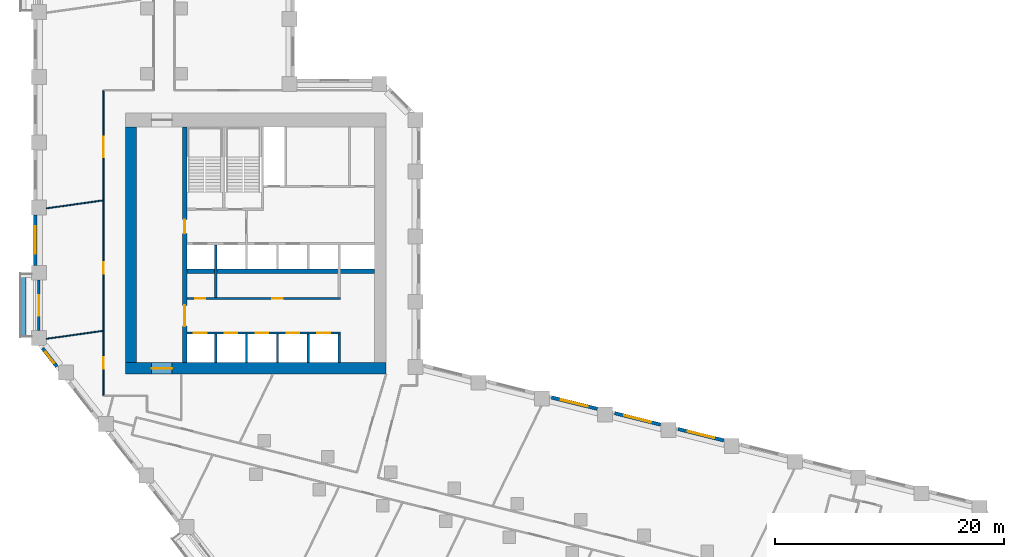
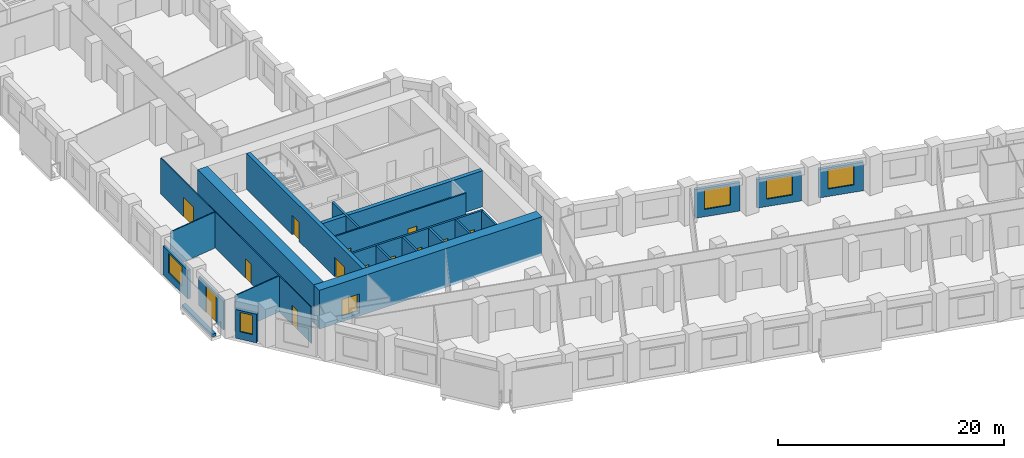
# One storey, part 4 of 11: 22 walls, 14 doors, 5 windows, 19 openings.
"""IFC4 building model written with IfcOpenShell, lengths in metres."""

from ifc_helpers import new_model, si_unit, direction, frame, frame_2d, origin, place, context, subcontext, project, spatial, rectangle, extrude, material, layer, layer_set, type_object, element, fill, save


model = new_model("IFC4")

# Units and contexts
model_context = context("Model", 3, precision=1e-05, world=origin(), true_north=direction((0.0, 1.0)))
body_context = subcontext(model_context, "Body", "Model", "MODEL_VIEW")
ifc_project = project(units=[si_unit("LENGTHUNIT", "METRE"), si_unit("AREAUNIT", "SQUARE_METRE"), si_unit("VOLUMEUNIT", "CUBIC_METRE"), si_unit("PLANEANGLEUNIT", "RADIAN"), si_unit("MASSUNIT", "GRAM", prefix="KILO")], contexts=[model_context])

# Site, building, storey
site_placement = place(None, origin())
site = spatial("IfcSite", under=ifc_project, at=site_placement, CompositionType="ELEMENT")
building_placement = place(site_placement, origin())
building = spatial("IfcBuilding", under=site, at=building_placement, Name="Meshkara Civic Tower", CompositionType="ELEMENT")
storey_placement = place(building_placement, frame((0.0, 0.0, 101.39990234375)))
storey = spatial("IfcBuildingStorey", under=building, at=storey_placement, Name="L22", CompositionType="ELEMENT", Elevation=101.39990234375)

# Wall, openings, doors
ifc_material_1 = material(Name="Blockwork", Category="masonry")
ifc_layer_1 = layer(ifc_material_1, 0.14990234375)
ifc_layer_set_1 = layer_set([ifc_layer_1], Name="Core partition 150")
wall_type_1 = type_object("IfcWallType", Name="Core partition 150", PredefinedType="PARTITIONING", material=ifc_layer_set_1)
wall_1_placement = place(storey_placement, frame((13.39990234375, 20.699951171875, 0.0), z_axis=(0.0, 0.0, 1.0), x_axis=(1.0, 0.0, 0.0)))
wall_1 = element("IfcWall", 1, at=wall_1_placement, inside=storey, type_object=wall_type_1, Name="L22-C006", PredefinedType="PARTITIONING", context=body_context, shape_type="SweptSolid", body=[
    extrude(rectangle(XDim=13.400146484375, YDim=0.14990234375, at=frame_2d((6.7001953125, 0.0))), origin(), (0.0, 0.0, 1.0), 3.900146484375),
])
opening_1_placement = place(wall_1_placement, frame((0.699951171875, 0.0, 0.0)))
opening_1 = element("IfcOpeningElement", 2, at=opening_1_placement, cuts=wall_1, Name="Opening L22-K010", PredefinedType="OPENING", context=body_context, shape_type="SweptSolid", body=[
    extrude(rectangle(XDim=0.89990234375, YDim=2.10009765625, at=frame_2d((0.449951171875, 1.050048828125))), frame((0.0, 0.0849609375, 0.0), z_axis=(0.0, -1.0, 0.0), x_axis=(1.0, 0.0, 0.0)), (0.0, 0.0, 1.0), 0.169921875),
])
opening_2_placement = place(wall_1_placement, frame((7.449951171875, 0.0, 0.0)))
opening_2 = element("IfcOpeningElement", 3, at=opening_2_placement, cuts=wall_1, Name="Opening L22-K011", PredefinedType="OPENING", context=body_context, shape_type="SweptSolid", body=[
    extrude(rectangle(XDim=0.89990234375, YDim=2.10009765625, at=frame_2d((0.449951171875, 1.050048828125))), frame((0.0, 0.0849609375, 0.0), z_axis=(0.0, -1.0, 0.0), x_axis=(1.0, 0.0, 0.0)), (0.0, 0.0, 1.0), 0.169921875),
])
ifc_material_2 = material(Name="Timber door leaf in steel frame", Category="steel")
door_type_1 = type_object("IfcDoorType", Name="Core room door 900", OperationType="SINGLE_SWING_LEFT", PredefinedType="DOOR", material=ifc_material_2)
door_1_placement = place(opening_1_placement, origin())
door_1 = element("IfcDoor", 4, at=door_1_placement, inside=storey, type_object=door_type_1, Name="L22-K010", OperationType="SINGLE_SWING_RIGHT", OverallHeight=2.10009765625, OverallWidth=0.89990234375, PredefinedType="DOOR", context=body_context, shape_type="SweptSolid", body=[
    extrude(rectangle(XDim=0.89990234375, YDim=2.10009765625, at=frame_2d((0.449951171875, 1.050048828125))), frame((0.0, 0.02490234375, 0.0), z_axis=(0.0, -1.0, 0.0), x_axis=(1.0, 0.0, 0.0)), (0.0, 0.0, 1.0), 0.050048828125),
])
fill(opening_1, door_1)
door_2_placement = place(opening_2_placement, origin())
door_2 = element("IfcDoor", 5, at=door_2_placement, inside=storey, type_object=door_type_1, Name="L22-K011", OperationType="SINGLE_SWING_LEFT", OverallHeight=2.10009765625, OverallWidth=0.89990234375, PredefinedType="DOOR", context=body_context, shape_type="SweptSolid", body=[
    extrude(rectangle(XDim=0.89990234375, YDim=2.10009765625, at=frame_2d((0.449951171875, 1.050048828125))), frame((0.0, 0.02490234375, 0.0), z_axis=(0.0, -1.0, 0.0), x_axis=(1.0, 0.0, 0.0)), (0.0, 0.0, 1.0), 0.050048828125),
])
fill(opening_2, door_2)

# Wall, opening, door
ifc_material_3 = material(Name="Concrete C70", Category="concrete")
ifc_layer_2 = layer(ifc_material_3, 1.0)
ifc_layer_set_2 = layer_set([ifc_layer_2], Name="Core ring wall 1000 C70")
wall_type_2 = type_object("IfcWallType", Name="Core ring wall 1000 C70", PredefinedType="SHEAR", material=ifc_layer_set_2)
wall_2_placement = place(storey_placement, frame((8.0, 14.60009765625, -0.2998046875), z_axis=(0.0, 0.0, 1.0), x_axis=(1.0, 0.0, 0.0)))
wall_2 = element("IfcWall", 6, at=wall_2_placement, inside=storey, type_object=wall_type_2, Name="L22-C001", PredefinedType="SHEAR", context=body_context, shape_type="SweptSolid", body=[
    extrude(rectangle(XDim=22.800048828125, YDim=1.0, at=frame_2d((11.39990234375, 0.0))), origin(), (0.0, 0.0, 1.0), 4.199951171875),
])
opening_3_placement = place(wall_2_placement, frame((2.300048828125, 0.0, 0.300048828125)))
opening_3 = element("IfcOpeningElement", 7, at=opening_3_placement, cuts=wall_2, Name="Opening L22-K021", PredefinedType="OPENING", context=body_context, shape_type="SweptSolid", body=[
    extrude(rectangle(XDim=1.800048828125, YDim=2.10009765625, at=frame_2d((0.89990234375, 1.050048828125))), frame((0.0, 0.510009765625, 0.0), z_axis=(0.0, -1.0, 0.0), x_axis=(1.0, 0.0, 0.0)), (0.0, 0.0, 1.0), 1.02001953125),
])
ifc_material_4 = material(Name="Fire-rated door leaf in steel frame", Category="steel")
door_type_2 = type_object("IfcDoorType", Name="Core double door 1800 EI 60", OperationType="DOUBLE_DOOR_SINGLE_SWING", PredefinedType="DOOR", material=ifc_material_4)
door_3_placement = place(opening_3_placement, origin())
door_3 = element("IfcDoor", 8, at=door_3_placement, inside=storey, type_object=door_type_2, Name="L22-K021", OperationType="DOUBLE_DOOR_SINGLE_SWING", OverallHeight=2.10009765625, OverallWidth=1.800048828125, PredefinedType="DOOR", context=body_context, shape_type="SweptSolid", body=[
    extrude(rectangle(XDim=1.800048828125, YDim=2.10009765625, at=frame_2d((0.89990234375, 1.050048828125))), frame((0.0, 0.02490234375, 0.0), z_axis=(0.0, -1.0, 0.0), x_axis=(1.0, 0.0, 0.0)), (0.0, 0.0, 1.0), 0.050048828125),
])
fill(opening_3, door_3)

# Walls
wall_3_placement = place(storey_placement, frame((8.5, 15.10009765625, -0.2998046875), z_axis=(0.0, 0.0, 1.0), x_axis=(0.0, 1.0, 0.0)))
element("IfcWall", 9, at=wall_3_placement, inside=storey, type_object=wall_type_2, Name="L22-C003", PredefinedType="SHEAR", context=body_context, shape_type="SweptSolid", body=[
    extrude(rectangle(XDim=20.599853515625, YDim=1.0, at=frame_2d((10.2998046875, 0.0))), origin(), (0.0, 0.0, 1.0), 4.199951171875),
])
ifc_material_5 = material(Name="Concrete C70", Category="concrete")
ifc_layer_3 = layer(ifc_material_5, 0.39990234375)
ifc_layer_set_3 = layer_set([ifc_layer_3], Name="Core shear wall 400 C70")
wall_type_3 = type_object("IfcWallType", Name="Core shear wall 400 C70", PredefinedType="SHEAR", material=ifc_layer_set_3)
wall_4_placement = place(storey_placement, frame((13.39990234375, 23.10009765625, 0.0), z_axis=(0.0, 0.0, 1.0), x_axis=(1.0, 0.0, 0.0)))
element("IfcWall", 10, at=wall_4_placement, inside=storey, type_object=wall_type_3, Name="L22-C007", PredefinedType="SHEAR", context=body_context, shape_type="SweptSolid", body=[
    extrude(rectangle(XDim=16.400146484375, YDim=0.39990234375, at=frame_2d((8.2001953125, 0.0))), origin(), (0.0, 0.0, 1.0), 3.900146484375),
])

# Wall, openings, doors
wall_5_placement = place(storey_placement, frame((13.199951171875, 15.10009765625, 0.0), z_axis=(0.0, 0.0, 1.0), x_axis=(0.0, 1.0, 0.0)))
wall_5 = element("IfcWall", 11, at=wall_5_placement, inside=storey, type_object=wall_type_3, Name="L22-C011", PredefinedType="SHEAR", context=body_context, shape_type="SweptSolid", body=[
    extrude(rectangle(XDim=20.599853515625, YDim=0.39990234375, at=frame_2d((10.2998046875, 0.0))), origin(), (0.0, 0.0, 1.0), 3.900146484375),
])
opening_4_placement = place(wall_5_placement, frame((3.199951171875, 0.0, 0.0)))
opening_4 = element("IfcOpeningElement", 12, at=opening_4_placement, cuts=wall_5, Name="Opening L22-K017", PredefinedType="OPENING", context=body_context, shape_type="SweptSolid", body=[
    extrude(rectangle(XDim=1.800048828125, YDim=2.10009765625, at=frame_2d((0.89990234375, 1.050048828125))), frame((0.0, 0.2099609375, 0.0), z_axis=(0.0, -1.0, 0.0), x_axis=(1.0, 0.0, 0.0)), (0.0, 0.0, 1.0), 0.419921875),
])
opening_5_placement = place(wall_5_placement, frame((11.300048828125, 0.0, 0.0)))
opening_5 = element("IfcOpeningElement", 13, at=opening_5_placement, cuts=wall_5, Name="Opening L22-K018", PredefinedType="OPENING", context=body_context, shape_type="SweptSolid", body=[
    extrude(rectangle(XDim=1.199951171875, YDim=2.10009765625, at=frame_2d((0.60009765625, 1.050048828125))), frame((0.0, 0.2099609375, 0.0), z_axis=(0.0, -1.0, 0.0), x_axis=(1.0, 0.0, 0.0)), (0.0, 0.0, 1.0), 0.419921875),
])
door_4_placement = place(opening_4_placement, origin())
door_4 = element("IfcDoor", 14, at=door_4_placement, inside=storey, type_object=door_type_2, Name="L22-K017", OperationType="DOUBLE_DOOR_SINGLE_SWING", OverallHeight=2.10009765625, OverallWidth=1.800048828125, PredefinedType="DOOR", context=body_context, shape_type="SweptSolid", body=[
    extrude(rectangle(XDim=1.800048828125, YDim=2.10009765625, at=frame_2d((0.89990234375, 1.050048828125))), frame((0.0, 0.02490234375, 0.0), z_axis=(0.0, -1.0, 0.0), x_axis=(1.0, 0.0, 0.0)), (0.0, 0.0, 1.0), 0.050048828125),
])
fill(opening_4, door_4)
ifc_material_6 = material(Name="Fire-rated door leaf in steel frame", Category="steel")
door_type_3 = type_object("IfcDoorType", Name="Fire-fighting lobby door 1200 EI 120", OperationType="SINGLE_SWING_LEFT", PredefinedType="DOOR", material=ifc_material_6)
door_5_placement = place(opening_5_placement, origin())
door_5 = element("IfcDoor", 15, at=door_5_placement, inside=storey, type_object=door_type_3, Name="L22-K018", OperationType="SINGLE_SWING_LEFT", OverallHeight=2.10009765625, OverallWidth=1.199951171875, PredefinedType="DOOR", context=body_context, shape_type="SweptSolid", body=[
    extrude(rectangle(XDim=1.199951171875, YDim=2.10009765625, at=frame_2d((0.60009765625, 1.050048828125))), frame((0.0, 0.02490234375, 0.0), z_axis=(0.0, -1.0, 0.0), x_axis=(1.0, 0.0, 0.0)), (0.0, 0.0, 1.0), 0.050048828125),
])
fill(opening_5, door_5)

ifc_material_7 = material(Name="Corridor wall 100")
ifc_layer_4 = layer(ifc_material_7, 0.10009765625)
ifc_layer_set_4 = layer_set([ifc_layer_4], Name="Corridor wall 100")
wall_type_4 = type_object("IfcWallType", Name="Corridor wall 100", PredefinedType="PARTITIONING", material=ifc_layer_set_4)
wall_6_placement = place(storey_placement, frame((6.10009765625, 12.199951171875, 0.0), z_axis=(0.0, 0.0, 1.0), x_axis=(0.0, 1.0, 0.0)))
wall_6 = element("IfcWall", 16, at=wall_6_placement, inside=storey, type_object=wall_type_4, Name="L22-W004", PredefinedType="PARTITIONING", context=body_context, shape_type="SweptSolid", body=[
    extrude(rectangle(XDim=26.699951171875, YDim=0.10009765625, at=frame_2d((13.35009765625, 0.0))), origin(), (0.0, 0.0, 1.0), 3.900146484375),
])
opening_6_placement = place(wall_6_placement, frame((2.3798828125, 0.0, 0.0)))
opening_6 = element("IfcOpeningElement", 17, at=opening_6_placement, cuts=wall_6, Name="Opening L22-D018", PredefinedType="OPENING", context=body_context, shape_type="SweptSolid", body=[
    extrude(rectangle(XDim=1.0, YDim=2.10009765625, at=frame_2d((0.5, 1.050048828125))), frame((0.0, 0.06005859375, 0.0), z_axis=(0.0, -1.0, 0.0), x_axis=(1.0, 0.0, 0.0)), (0.0, 0.0, 1.0), 0.1201171875),
])
opening_7_placement = place(wall_6_placement, frame((10.658935546875, 0.0, 0.0)))
opening_7 = element("IfcOpeningElement", 18, at=opening_7_placement, cuts=wall_6, Name="Opening L22-D019", PredefinedType="OPENING", context=body_context, shape_type="SweptSolid", body=[
    extrude(rectangle(XDim=1.0, YDim=2.10009765625, at=frame_2d((0.5, 1.050048828125))), frame((0.0, 0.06005859375, 0.0), z_axis=(0.0, -1.0, 0.0), x_axis=(1.0, 0.0, 0.0)), (0.0, 0.0, 1.0), 0.1201171875),
])
opening_8_placement = place(wall_6_placement, frame((20.85888671875, 0.0, 0.0)))
opening_8 = element("IfcOpeningElement", 19, at=opening_8_placement, cuts=wall_6, Name="Opening L22-D020", PredefinedType="OPENING", context=body_context, shape_type="SweptSolid", body=[
    extrude(rectangle(XDim=1.800048828125, YDim=2.10009765625, at=frame_2d((0.89990234375, 1.050048828125))), frame((0.0, 0.06005859375, 0.0), z_axis=(0.0, -1.0, 0.0), x_axis=(1.0, 0.0, 0.0)), (0.0, 0.0, 1.0), 0.1201171875),
])
ifc_material_8 = material(Name="Door 1000 x 2100")
door_type_4 = type_object("IfcDoorType", Name="Door 1000 x 2100", OperationType="SINGLE_SWING_LEFT", PredefinedType="DOOR", material=ifc_material_8)
door_6_placement = place(opening_6_placement, origin())
door_6 = element("IfcDoor", 20, at=door_6_placement, inside=storey, type_object=door_type_4, Name="L22-D018", OperationType="SINGLE_SWING_RIGHT", OverallHeight=2.10009765625, OverallWidth=1.0, PredefinedType="DOOR", context=body_context, shape_type="SweptSolid", body=[
    extrude(rectangle(XDim=1.0, YDim=2.10009765625, at=frame_2d((0.5, 1.050048828125))), frame((0.0, 0.02490234375, 0.0), z_axis=(0.0, -1.0, 0.0), x_axis=(1.0, 0.0, 0.0)), (0.0, 0.0, 1.0), 0.050048828125),
])
fill(opening_6, door_6)
door_7_placement = place(opening_7_placement, origin())
door_7 = element("IfcDoor", 21, at=door_7_placement, inside=storey, type_object=door_type_4, Name="L22-D019", OperationType="SINGLE_SWING_LEFT", OverallHeight=2.10009765625, OverallWidth=1.0, PredefinedType="DOOR", context=body_context, shape_type="SweptSolid", body=[
    extrude(rectangle(XDim=1.0, YDim=2.10009765625, at=frame_2d((0.5, 1.050048828125))), frame((0.0, 0.02490234375, 0.0), z_axis=(0.0, -1.0, 0.0), x_axis=(1.0, 0.0, 0.0)), (0.0, 0.0, 1.0), 0.050048828125),
])
fill(opening_7, door_7)
ifc_material_9 = material(Name="Door pair 1800 x 2100")
door_type_5 = type_object("IfcDoorType", Name="Door pair 1800 x 2100", OperationType="SINGLE_SWING_LEFT", PredefinedType="DOOR", material=ifc_material_9)
door_8_placement = place(opening_8_placement, origin())
door_8 = element("IfcDoor", 22, at=door_8_placement, inside=storey, type_object=door_type_5, Name="L22-D020", OperationType="DOUBLE_DOOR_SINGLE_SWING", OverallHeight=2.10009765625, OverallWidth=1.800048828125, PredefinedType="DOOR", context=body_context, shape_type="SweptSolid", body=[
    extrude(rectangle(XDim=1.800048828125, YDim=2.10009765625, at=frame_2d((0.89990234375, 1.050048828125))), frame((0.0, 0.02490234375, 0.0), z_axis=(0.0, -1.0, 0.0), x_axis=(1.0, 0.0, 0.0)), (0.0, 0.0, 1.0), 0.050048828125),
])
fill(opening_8, door_8)

# Wall, opening, window
ifc_material_10 = material(Name="Insulated infill panel with bronze anodised aluminium cladding", Category="aluminium")
ifc_layer_5 = layer(ifc_material_10, 0.300048828125)
ifc_layer_set_5 = layer_set([ifc_layer_5], Name="EXTERNAL INFILL WALL 300")
wall_type_5 = type_object("IfcWallType", Name="EXTERNAL INFILL WALL 300", PredefinedType="SOLIDWALL", material=ifc_layer_set_5)
wall_7_placement = place(storey_placement, frame((60.31103515625, 8.305908203125, 0.0), z_axis=(0.0, 0.0, 1.0), x_axis=(-0.970267747908, 0.242034083076, 0.0)))
wall_7 = element("IfcWall", 23, at=wall_7_placement, inside=storey, type_object=wall_type_5, Name="External wall", PredefinedType="SOLIDWALL", context=body_context, shape_type="SweptSolid", body=[
    extrude(rectangle(XDim=4.12353515625, YDim=0.300048828125, at=frame_2d((2.061767578125, 0.0))), origin(), (0.0, 0.0, 1.0), 3.10009765625),
])
opening_9_placement = place(wall_7_placement, frame((0.862060546875, 0.0, 0.800048828125)))
opening_9 = element("IfcOpeningElement", 24, at=opening_9_placement, cuts=wall_7, Name="Opening W7", PredefinedType="OPENING", context=body_context, shape_type="SweptSolid", body=[
    extrude(rectangle(XDim=2.39990234375, YDim=2.10009765625, at=frame_2d((1.199951171875, 1.050048828125))), frame((0.0, 0.159912109375, 0.0), z_axis=(0.0, -1.0, 0.0), x_axis=(1.0, 0.0, 0.0)), (0.0, 0.0, 1.0), 0.320068359375),
])
ifc_material_11 = material(Name="Tinted double glazing", Category="glass")
window_type_1 = type_object("IfcWindowType", Name="WINDOW 2400x2100", PartitioningType="DOUBLE_PANEL_VERTICAL", PredefinedType="WINDOW", material=ifc_material_11)
window_1_placement = place(opening_9_placement, origin())
window_1 = element("IfcWindow", 25, at=window_1_placement, inside=storey, type_object=window_type_1, Name="Window", OverallHeight=2.10009765625, OverallWidth=2.39990234375, PartitioningType="DOUBLE_PANEL_VERTICAL", PredefinedType="WINDOW", context=body_context, shape_type="SweptSolid", body=[
    extrude(rectangle(XDim=2.39990234375, YDim=2.10009765625, at=frame_2d((1.199951171875, 1.050048828125))), frame((0.0, 0.030029296875, 0.0), z_axis=(0.0, -1.0, 0.0), x_axis=(1.0, 0.0, 0.0)), (0.0, 0.0, 1.0), 0.06005859375),
])
fill(opening_9, window_1)

wall_8_placement = place(storey_placement, frame((54.781005859375, 9.68505859375, 0.0), z_axis=(0.0, 0.0, 1.0), x_axis=(-0.970281616392, 0.241978480223, 0.0)))
wall_8 = element("IfcWall", 26, at=wall_8_placement, inside=storey, type_object=wall_type_5, Name="External wall", PredefinedType="SOLIDWALL", context=body_context, shape_type="SweptSolid", body=[
    extrude(rectangle(XDim=4.12451171875, YDim=0.300048828125, at=frame_2d((2.062255859375, 0.0))), origin(), (0.0, 0.0, 1.0), 3.10009765625),
])
opening_10_placement = place(wall_8_placement, frame((0.862060546875, 0.0, 0.800048828125)))
opening_10 = element("IfcOpeningElement", 27, at=opening_10_placement, cuts=wall_8, Name="Opening W7", PredefinedType="OPENING", context=body_context, shape_type="SweptSolid", body=[
    extrude(rectangle(XDim=2.39990234375, YDim=2.10009765625, at=frame_2d((1.199951171875, 1.050048828125))), frame((0.0, 0.159912109375, 0.0), z_axis=(0.0, -1.0, 0.0), x_axis=(1.0, 0.0, 0.0)), (0.0, 0.0, 1.0), 0.320068359375),
])
window_2_placement = place(opening_10_placement, origin())
window_2 = element("IfcWindow", 28, at=window_2_placement, inside=storey, type_object=window_type_1, Name="Window", OverallHeight=2.10009765625, OverallWidth=2.39990234375, PartitioningType="DOUBLE_PANEL_VERTICAL", PredefinedType="WINDOW", context=body_context, shape_type="SweptSolid", body=[
    extrude(rectangle(XDim=2.39990234375, YDim=2.10009765625, at=frame_2d((1.199951171875, 1.050048828125))), frame((0.0, 0.030029296875, 0.0), z_axis=(0.0, -1.0, 0.0), x_axis=(1.0, 0.0, 0.0)), (0.0, 0.0, 1.0), 0.06005859375),
])
fill(opening_10, window_2)

wall_9_placement = place(storey_placement, frame((49.25, 11.06396484375, 0.0), z_axis=(0.0, 0.0, 1.0), x_axis=(-0.970281616392, 0.241978480223, 0.0)))
wall_9 = element("IfcWall", 29, at=wall_9_placement, inside=storey, type_object=wall_type_5, Name="External wall", PredefinedType="SOLIDWALL", context=body_context, shape_type="SweptSolid", body=[
    extrude(rectangle(XDim=4.12451171875, YDim=0.300048828125, at=frame_2d((2.062255859375, 0.0))), origin(), (0.0, 0.0, 1.0), 3.10009765625),
])
opening_11_placement = place(wall_9_placement, frame((0.862060546875, 0.0, 0.800048828125)))
opening_11 = element("IfcOpeningElement", 30, at=opening_11_placement, cuts=wall_9, Name="Opening W7", PredefinedType="OPENING", context=body_context, shape_type="SweptSolid", body=[
    extrude(rectangle(XDim=2.39990234375, YDim=2.10009765625, at=frame_2d((1.199951171875, 1.050048828125))), frame((0.0, 0.159912109375, 0.0), z_axis=(0.0, -1.0, 0.0), x_axis=(1.0, 0.0, 0.0)), (0.0, 0.0, 1.0), 0.320068359375),
])
window_3_placement = place(opening_11_placement, origin())
window_3 = element("IfcWindow", 31, at=window_3_placement, inside=storey, type_object=window_type_1, Name="Window", OverallHeight=2.10009765625, OverallWidth=2.39990234375, PartitioningType="DOUBLE_PANEL_VERTICAL", PredefinedType="WINDOW", context=body_context, shape_type="SweptSolid", body=[
    extrude(rectangle(XDim=2.39990234375, YDim=2.10009765625, at=frame_2d((1.199951171875, 1.050048828125))), frame((0.0, 0.030029296875, 0.0), z_axis=(0.0, -1.0, 0.0), x_axis=(1.0, 0.0, 0.0)), (0.0, 0.0, 1.0), 0.06005859375),
])
fill(opening_11, window_3)

wall_10_placement = place(storey_placement, frame((0.14990234375, 28.0048828125, 0.0), z_axis=(0.0, 0.0, 1.0), x_axis=(0.0, -1.0, 0.0)))
wall_10 = element("IfcWall", 32, at=wall_10_placement, inside=storey, type_object=wall_type_5, Name="External wall", PredefinedType="SOLIDWALL", context=body_context, shape_type="SweptSolid", body=[
    extrude(rectangle(XDim=4.39990234375, YDim=0.300048828125, at=frame_2d((2.199951171875, 0.0))), origin(), (0.0, 0.0, 1.0), 3.10009765625),
])
opening_12_placement = place(wall_10_placement, frame((1.0, 0.0, 0.800048828125)))
opening_12 = element("IfcOpeningElement", 33, at=opening_12_placement, cuts=wall_10, Name="Opening W7", PredefinedType="OPENING", context=body_context, shape_type="SweptSolid", body=[
    extrude(rectangle(XDim=2.39990234375, YDim=2.10009765625, at=frame_2d((1.199951171875, 1.050048828125))), frame((0.0, 0.159912109375, 0.0), z_axis=(0.0, -1.0, 0.0), x_axis=(1.0, 0.0, 0.0)), (0.0, 0.0, 1.0), 0.320068359375),
])
window_4_placement = place(opening_12_placement, origin())
window_4 = element("IfcWindow", 34, at=window_4_placement, inside=storey, type_object=window_type_1, Name="Window", OverallHeight=2.10009765625, OverallWidth=2.39990234375, PartitioningType="DOUBLE_PANEL_VERTICAL", PredefinedType="WINDOW", context=body_context, shape_type="SweptSolid", body=[
    extrude(rectangle(XDim=2.39990234375, YDim=2.10009765625, at=frame_2d((1.199951171875, 1.050048828125))), frame((0.0, 0.030029296875, 0.0), z_axis=(0.0, -1.0, 0.0), x_axis=(1.0, 0.0, 0.0)), (0.0, 0.0, 1.0), 0.06005859375),
])
fill(opening_12, window_4)

wall_11_placement = place(storey_placement, frame((0.77490234375, 16.35107421875, 0.0), z_axis=(0.0, 0.0, 1.0), x_axis=(0.6157921118, -0.787908671766, 0.0)))
wall_11 = element("IfcWall", 35, at=wall_11_placement, inside=storey, type_object=wall_type_5, Name="External wall", PredefinedType="SOLIDWALL", context=body_context, shape_type="SweptSolid", body=[
    extrude(rectangle(XDim=2.015625, YDim=0.300048828125, at=frame_2d((1.0078125, 0.0))), origin(), (0.0, 0.0, 1.0), 3.10009765625),
])
opening_13_placement = place(wall_11_placement, frame((0.407958984375, 0.0, 0.800048828125)))
opening_13 = element("IfcOpeningElement", 36, at=opening_13_placement, cuts=wall_11, Name="Opening W3", PredefinedType="OPENING", context=body_context, shape_type="SweptSolid", body=[
    extrude(rectangle(XDim=1.199951171875, YDim=2.10009765625, at=frame_2d((0.60009765625, 1.050048828125))), frame((0.0, 0.159912109375, 0.0), z_axis=(0.0, -1.0, 0.0), x_axis=(1.0, 0.0, 0.0)), (0.0, 0.0, 1.0), 0.320068359375),
])
ifc_material_12 = material(Name="Tinted double glazing", Category="glass")
window_type_2 = type_object("IfcWindowType", Name="WINDOW 1200x2100", PartitioningType="SINGLE_PANEL", PredefinedType="WINDOW", material=ifc_material_12)
window_5_placement = place(opening_13_placement, origin())
window_5 = element("IfcWindow", 37, at=window_5_placement, inside=storey, type_object=window_type_2, Name="Window", OverallHeight=2.10009765625, OverallWidth=1.199951171875, PartitioningType="SINGLE_PANEL", PredefinedType="WINDOW", context=body_context, shape_type="SweptSolid", body=[
    extrude(rectangle(XDim=1.199951171875, YDim=2.10009765625, at=frame_2d((0.60009765625, 1.050048828125))), frame((0.0, 0.030029296875, 0.0), z_axis=(0.0, -1.0, 0.0), x_axis=(1.0, 0.0, 0.0)), (0.0, 0.0, 1.0), 0.06005859375),
])
fill(opening_13, window_5)

# Wall, opening, door
ifc_material_13 = material(Name="Insulated infill panel with bronze anodised aluminium cladding", Category="aluminium")
ifc_layer_6 = layer(ifc_material_13, 0.199951171875)
ifc_layer_set_6 = layer_set([ifc_layer_6], Name="LOGGIA BACK WALL 200")
wall_type_6 = type_object("IfcWallType", Name="LOGGIA BACK WALL 200", PredefinedType="SOLIDWALL", material=ifc_layer_set_6)
wall_12_placement = place(storey_placement, frame((0.449951171875, 22.303955078125, 0.0), z_axis=(0.0, 0.0, 1.0), x_axis=(0.0, -1.0, 0.0)))
wall_12 = element("IfcWall", 38, at=wall_12_placement, inside=storey, type_object=wall_type_6, Name="Loggia wall", PredefinedType="SOLIDWALL", context=body_context, shape_type="SweptSolid", body=[
    extrude(rectangle(XDim=4.39892578125, YDim=0.199951171875, at=frame_2d((2.199462890625, 0.0))), origin(), (0.0, 0.0, 1.0), 3.10009765625),
])
opening_14_placement = place(wall_12_placement, frame((1.300048828125, 0.0, 0.0)))
opening_14 = element("IfcOpeningElement", 39, at=opening_14_placement, cuts=wall_12, Name="Opening L22-L002", PredefinedType="OPENING", context=body_context, shape_type="SweptSolid", body=[
    extrude(rectangle(XDim=1.800048828125, YDim=2.89990234375, at=frame_2d((0.89990234375, 1.449951171875))), frame((0.0, 0.10986328125, 0.0), z_axis=(0.0, -1.0, 0.0), x_axis=(1.0, 0.0, 0.0)), (0.0, 0.0, 1.0), 0.219970703125),
])
ifc_material_14 = material(Name="Tinted double glazing", Category="glass")
door_type_6 = type_object("IfcDoorType", Name="LOGGIA DOOR 1800x2900", OperationType="DOUBLE_DOOR_SINGLE_SWING", PredefinedType="DOOR", material=ifc_material_14)
door_9_placement = place(opening_14_placement, origin())
door_9 = element("IfcDoor", 40, at=door_9_placement, inside=storey, type_object=door_type_6, Name="L22-L002", OperationType="DOUBLE_DOOR_SINGLE_SWING", OverallHeight=2.89990234375, OverallWidth=1.800048828125, PredefinedType="DOOR", context=body_context, shape_type="SweptSolid", body=[
    extrude(rectangle(XDim=1.800048828125, YDim=2.89990234375, at=frame_2d((0.89990234375, 1.449951171875))), frame((0.0, 0.02490234375, 0.0), z_axis=(0.0, -1.0, 0.0), x_axis=(1.0, 0.0, 0.0)), (0.0, 0.0, 1.0), 0.050048828125),
])
fill(opening_14, door_9)

# Walls
ifc_material_15 = material(Name="Concrete C40", Category="concrete")
ifc_layer_7 = layer(ifc_material_15, 0.39990234375)
ifc_layer_set_7 = layer_set([ifc_layer_7], Name="PLANTER TRAY")
wall_type_7 = type_object("IfcWallType", Name="PLANTER TRAY", PredefinedType="SOLIDWALL", material=ifc_layer_set_7)
wall_13_placement = place(storey_placement, frame((-0.8798828125, 22.784912109375, 0.0), z_axis=(0.0, 0.0, 1.0), x_axis=(0.0, -1.0, 0.0)))
element("IfcWall", 41, at=wall_13_placement, inside=storey, type_object=wall_type_7, Name="Planter", PredefinedType="SOLIDWALL", context=body_context, shape_type="SweptSolid", body=[
    extrude(rectangle(XDim=5.35986328125, YDim=0.39990234375, at=frame_2d((2.679931640625, 0.0))), origin(), (0.0, 0.0, 1.0), 0.300048828125),
])
ifc_material_16 = material(Name="Partition 100")
ifc_layer_8 = layer(ifc_material_16, 0.10009765625)
ifc_layer_set_8 = layer_set([ifc_layer_8], Name="Partition 100")
wall_type_8 = type_object("IfcWallType", Name="Partition 100", PredefinedType="PARTITIONING", material=ifc_layer_set_8)
for number, where, z_axis, x_axis, name in (
    (42, (6.04296875, 17.87890625, 0.0), (0.0, 0.0, 1.0), (-0.990263954585, -0.139202371567, 0.0), "L22-W033"),
    (43, (6.04296875, 29.279052734375, 0.0), (0.0, 0.0, 1.0), (-0.990257211149, -0.139250334888, 0.0), "L22-W034"),
):
    element("IfcWall", number, at=place(storey_placement, frame(where, z_axis=z_axis, x_axis=x_axis)), inside=storey, type_object=wall_type_8, Name=name, PredefinedType="PARTITIONING", context=body_context, shape_type="SweptSolid", body=[
        extrude(rectangle(XDim=4.991455078125, YDim=0.10009765625, at=frame_2d((2.49560546875, 0.0))), origin(), (0.0, 0.0, 1.0), 3.900146484375),
    ])

# Wall, openings, doors
ifc_material_17 = material(Name="Concrete C40/50", Category="concrete")
ifc_layer_9 = layer(ifc_material_17, 0.199951171875)
ifc_layer_set_9 = layer_set([ifc_layer_9], Name="Shaft wall 200 C40/50")
wall_type_9 = type_object("IfcWallType", Name="Shaft wall 200 C40/50", PredefinedType="SOLIDWALL", material=ifc_layer_set_9)
wall_14_placement = place(storey_placement, frame((13.39990234375, 17.699951171875, 0.0), z_axis=(0.0, 0.0, 1.0), x_axis=(1.0, 0.0, 0.0)))
wall_14 = element("IfcWall", 44, at=wall_14_placement, inside=storey, type_object=wall_type_9, Name="L22-C005", PredefinedType="SOLIDWALL", context=body_context, shape_type="SweptSolid", body=[
    extrude(rectangle(XDim=13.400146484375, YDim=0.199951171875, at=frame_2d((6.7001953125, 0.0))), origin(), (0.0, 0.0, 1.0), 3.900146484375),
])
opening_15_placement = place(wall_14_placement, frame((0.60009765625, 0.0, 0.0)))
opening_15 = element("IfcOpeningElement", 45, at=opening_15_placement, cuts=wall_14, Name="Opening L22-K001", PredefinedType="OPENING", context=body_context, shape_type="SweptSolid", body=[
    extrude(rectangle(XDim=1.10009765625, YDim=2.10009765625, at=frame_2d((0.550048828125, 1.050048828125))), frame((0.0, 0.10986328125, 0.0), z_axis=(0.0, -1.0, 0.0), x_axis=(1.0, 0.0, 0.0)), (0.0, 0.0, 1.0), 0.219970703125),
])
opening_16_placement = place(wall_14_placement, frame((3.300048828125, 0.0, 0.0)))
opening_16 = element("IfcOpeningElement", 46, at=opening_16_placement, cuts=wall_14, Name="Opening L22-K002", PredefinedType="OPENING", context=body_context, shape_type="SweptSolid", body=[
    extrude(rectangle(XDim=1.10009765625, YDim=2.10009765625, at=frame_2d((0.550048828125, 1.050048828125))), frame((0.0, 0.10986328125, 0.0), z_axis=(0.0, -1.0, 0.0), x_axis=(1.0, 0.0, 0.0)), (0.0, 0.0, 1.0), 0.219970703125),
])
opening_17_placement = place(wall_14_placement, frame((6.0, 0.0, 0.0)))
opening_17 = element("IfcOpeningElement", 47, at=opening_17_placement, cuts=wall_14, Name="Opening L22-K003", PredefinedType="OPENING", context=body_context, shape_type="SweptSolid", body=[
    extrude(rectangle(XDim=1.10009765625, YDim=2.10009765625, at=frame_2d((0.550048828125, 1.050048828125))), frame((0.0, 0.10986328125, 0.0), z_axis=(0.0, -1.0, 0.0), x_axis=(1.0, 0.0, 0.0)), (0.0, 0.0, 1.0), 0.219970703125),
])
opening_18_placement = place(wall_14_placement, frame((8.699951171875, 0.0, 0.0)))
opening_18 = element("IfcOpeningElement", 48, at=opening_18_placement, cuts=wall_14, Name="Opening L22-K004", PredefinedType="OPENING", context=body_context, shape_type="SweptSolid", body=[
    extrude(rectangle(XDim=1.10009765625, YDim=2.10009765625, at=frame_2d((0.550048828125, 1.050048828125))), frame((0.0, 0.10986328125, 0.0), z_axis=(0.0, -1.0, 0.0), x_axis=(1.0, 0.0, 0.0)), (0.0, 0.0, 1.0), 0.219970703125),
])
opening_19_placement = place(wall_14_placement, frame((11.39990234375, 0.0, 0.0)))
opening_19 = element("IfcOpeningElement", 49, at=opening_19_placement, cuts=wall_14, Name="Opening L22-K005", PredefinedType="OPENING", context=body_context, shape_type="SweptSolid", body=[
    extrude(rectangle(XDim=1.10009765625, YDim=2.10009765625, at=frame_2d((0.550048828125, 1.050048828125))), frame((0.0, 0.10986328125, 0.0), z_axis=(0.0, -1.0, 0.0), x_axis=(1.0, 0.0, 0.0)), (0.0, 0.0, 1.0), 0.219970703125),
])
ifc_material_18 = material(Name="Stainless steel landing door", Category="steel")
door_type_7 = type_object("IfcDoorType", Name="Lift landing door 1100", OperationType="SLIDING_TO_LEFT", PredefinedType="DOOR", material=ifc_material_18)
door_10_placement = place(opening_15_placement, origin())
door_10 = element("IfcDoor", 50, at=door_10_placement, inside=storey, type_object=door_type_7, Name="L22-K001", OperationType="SLIDING_TO_LEFT", OverallHeight=2.10009765625, OverallWidth=1.10009765625, PredefinedType="DOOR", context=body_context, shape_type="SweptSolid", body=[
    extrude(rectangle(XDim=1.10009765625, YDim=2.10009765625, at=frame_2d((0.550048828125, 1.050048828125))), frame((0.0, 0.02490234375, 0.0), z_axis=(0.0, -1.0, 0.0), x_axis=(1.0, 0.0, 0.0)), (0.0, 0.0, 1.0), 0.050048828125),
])
fill(opening_15, door_10)
door_11_placement = place(opening_16_placement, origin())
door_11 = element("IfcDoor", 51, at=door_11_placement, inside=storey, type_object=door_type_7, Name="L22-K002", OperationType="SLIDING_TO_LEFT", OverallHeight=2.10009765625, OverallWidth=1.10009765625, PredefinedType="DOOR", context=body_context, shape_type="SweptSolid", body=[
    extrude(rectangle(XDim=1.10009765625, YDim=2.10009765625, at=frame_2d((0.550048828125, 1.050048828125))), frame((0.0, 0.02490234375, 0.0), z_axis=(0.0, -1.0, 0.0), x_axis=(1.0, 0.0, 0.0)), (0.0, 0.0, 1.0), 0.050048828125),
])
fill(opening_16, door_11)
door_12_placement = place(opening_17_placement, origin())
door_12 = element("IfcDoor", 52, at=door_12_placement, inside=storey, type_object=door_type_7, Name="L22-K003", OperationType="SLIDING_TO_LEFT", OverallHeight=2.10009765625, OverallWidth=1.10009765625, PredefinedType="DOOR", context=body_context, shape_type="SweptSolid", body=[
    extrude(rectangle(XDim=1.10009765625, YDim=2.10009765625, at=frame_2d((0.550048828125, 1.050048828125))), frame((0.0, 0.02490234375, 0.0), z_axis=(0.0, -1.0, 0.0), x_axis=(1.0, 0.0, 0.0)), (0.0, 0.0, 1.0), 0.050048828125),
])
fill(opening_17, door_12)
door_13_placement = place(opening_18_placement, origin())
door_13 = element("IfcDoor", 53, at=door_13_placement, inside=storey, type_object=door_type_7, Name="L22-K004", OperationType="SLIDING_TO_LEFT", OverallHeight=2.10009765625, OverallWidth=1.10009765625, PredefinedType="DOOR", context=body_context, shape_type="SweptSolid", body=[
    extrude(rectangle(XDim=1.10009765625, YDim=2.10009765625, at=frame_2d((0.550048828125, 1.050048828125))), frame((0.0, 0.02490234375, 0.0), z_axis=(0.0, -1.0, 0.0), x_axis=(1.0, 0.0, 0.0)), (0.0, 0.0, 1.0), 0.050048828125),
])
fill(opening_18, door_13)
door_14_placement = place(opening_19_placement, origin())
door_14 = element("IfcDoor", 54, at=door_14_placement, inside=storey, type_object=door_type_7, Name="L22-K005", OperationType="SLIDING_TO_LEFT", OverallHeight=2.10009765625, OverallWidth=1.10009765625, PredefinedType="DOOR", context=body_context, shape_type="SweptSolid", body=[
    extrude(rectangle(XDim=1.10009765625, YDim=2.10009765625, at=frame_2d((0.550048828125, 1.050048828125))), frame((0.0, 0.02490234375, 0.0), z_axis=(0.0, -1.0, 0.0), x_axis=(1.0, 0.0, 0.0)), (0.0, 0.0, 1.0), 0.050048828125),
])
fill(opening_19, door_14)

# Walls
wall_15_placement = place(storey_placement, frame((15.89990234375, 15.10009765625, 0.0), z_axis=(0.0, 0.0, 1.0), x_axis=(0.0, 1.0, 0.0)))
element("IfcWall", 55, at=wall_15_placement, inside=storey, type_object=wall_type_9, Name="L22-C012", PredefinedType="SOLIDWALL", context=body_context, shape_type="SweptSolid", body=[
    extrude(rectangle(XDim=2.5, YDim=0.199951171875, at=frame_2d((1.25, 0.0))), origin(), (0.0, 0.0, 1.0), 3.900146484375),
])
wall_16_placement = place(storey_placement, frame((15.89990234375, 20.77490234375, 0.0), z_axis=(0.0, 0.0, 1.0), x_axis=(0.0, 1.0, 0.0)))
element("IfcWall", 56, at=wall_16_placement, inside=storey, type_object=wall_type_9, Name="L22-C013", PredefinedType="SOLIDWALL", context=body_context, shape_type="SweptSolid", body=[
    extrude(rectangle(XDim=4.625, YDim=0.199951171875, at=frame_2d((2.3125, 0.0))), origin(), (0.0, 0.0, 1.0), 3.900146484375),
])
for number, where, z_axis, x_axis, name in (
    (57, (18.60009765625, 15.10009765625, 0.0), (0.0, 0.0, 1.0), (0.0, 1.0, 0.0), "L22-C015"),
    (58, (21.300048828125, 15.10009765625, 0.0), (0.0, 0.0, 1.0), (0.0, 1.0, 0.0), "L22-C018"),
    (59, (24.0, 15.10009765625, 0.0), (0.0, 0.0, 1.0), (0.0, 1.0, 0.0), "L22-C021"),
    (60, (26.699951171875, 15.10009765625, 0.0), (0.0, 0.0, 1.0), (0.0, 1.0, 0.0), "L22-C023"),
):
    element("IfcWall", number, at=place(storey_placement, frame(where, z_axis=z_axis, x_axis=x_axis)), inside=storey, type_object=wall_type_9, Name=name, PredefinedType="SOLIDWALL", context=body_context, shape_type="SweptSolid", body=[
        extrude(rectangle(XDim=2.5, YDim=0.199951171875, at=frame_2d((1.25, 0.0))), origin(), (0.0, 0.0, 1.0), 3.900146484375),
    ])

save(model, "model.ifc")
